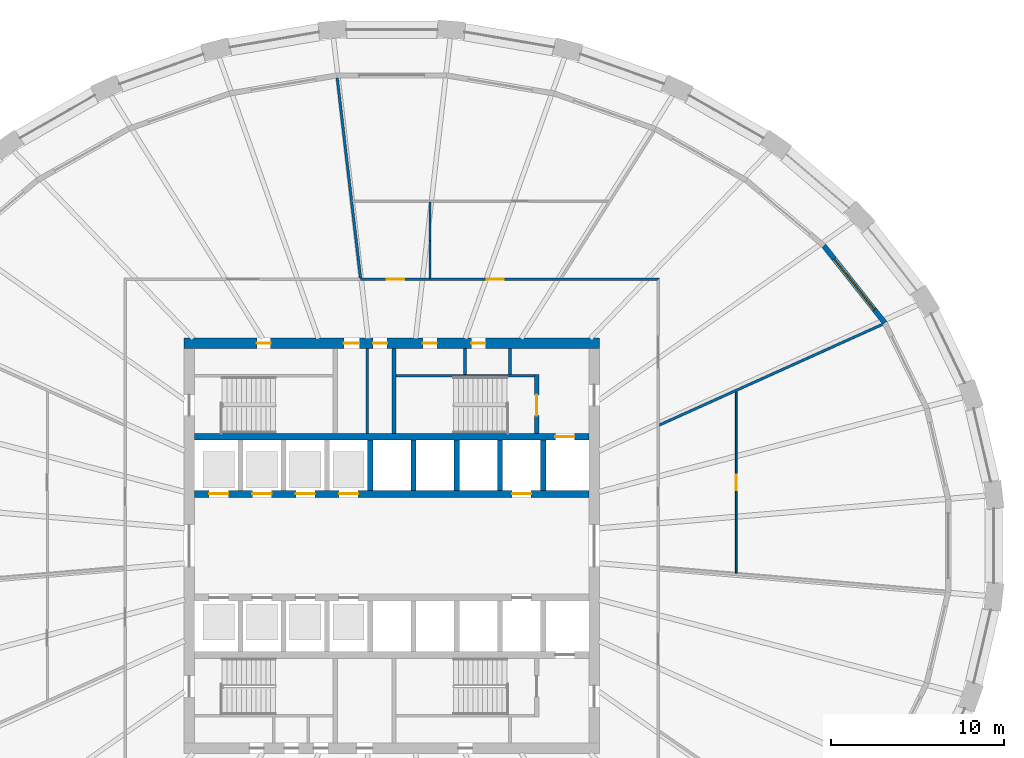
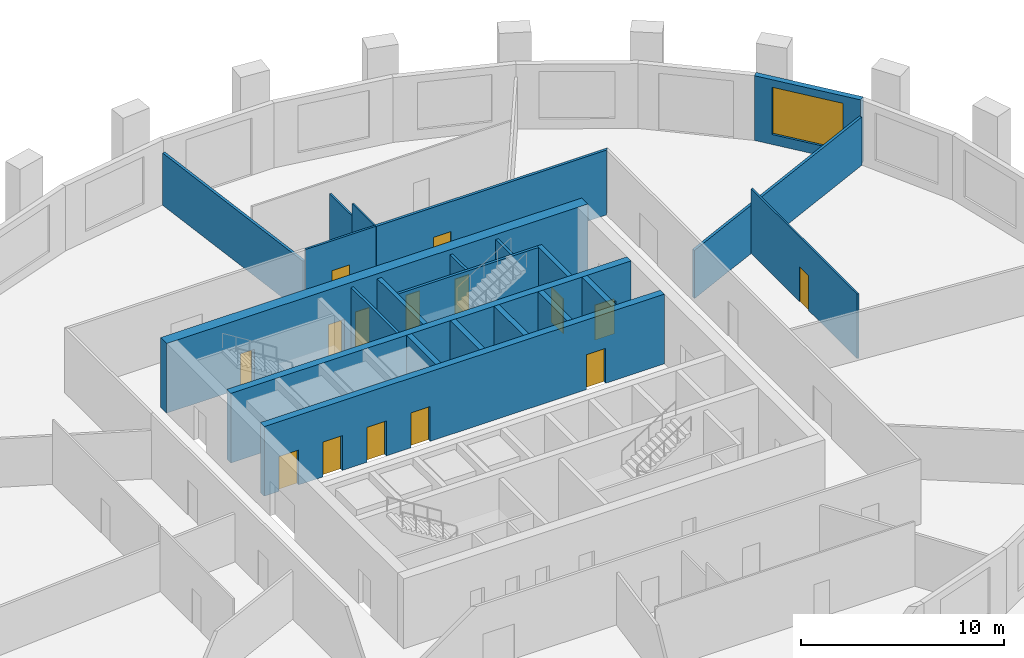
# One storey, part 6 of 10: 22 walls, 15 doors, 1 window, 16 openings.
"""IFC4 building model written with IfcOpenShell, lengths in metres."""

from ifc_helpers import new_model, si_unit, direction, frame, frame_2d, origin, place, context, subcontext, project, spatial, polyline, rectangle, outline, extrude, material, layer, layer_set, type_object, element, fill, save


model = new_model("IFC4")

# Units and contexts
model_context = context("Model", 3, precision=1e-05, world=origin(), true_north=direction((0.0, 1.0)))
body_context = subcontext(model_context, "Body", "Model", "MODEL_VIEW")
ifc_project = project(units=[si_unit("LENGTHUNIT", "METRE"), si_unit("AREAUNIT", "SQUARE_METRE"), si_unit("VOLUMEUNIT", "CUBIC_METRE"), si_unit("PLANEANGLEUNIT", "RADIAN"), si_unit("MASSUNIT", "GRAM", prefix="KILO")], contexts=[model_context])

# Site, building, storey
site_placement = place(None, origin())
site = spatial("IfcSite", under=ifc_project, at=site_placement, CompositionType="ELEMENT")
building_placement = place(site_placement, origin())
building = spatial("IfcBuilding", under=site, at=building_placement, Name="Halqa Exchange Tower", CompositionType="ELEMENT")
storey_placement = place(building_placement, frame((0.0, 0.0, 121.300048828125)))
storey = spatial("IfcBuildingStorey", under=building, at=storey_placement, Name="L27", CompositionType="ELEMENT", Elevation=121.300048828125)

# Wall
ifc_material_1 = material(Name="Fire-rated gypsum board")
ifc_layer_1 = layer(ifc_material_1, 0.14990234375)
ifc_layer_set_1 = layer_set([ifc_layer_1], Name="Fire-rated gypsum board")
wall_type_1 = type_object("IfcWallType", Name="Fire partition EI 60 150", PredefinedType="PARTITIONING", material=ifc_layer_set_1)
wall_1_placement = place(storey_placement, frame((-3.15478515625, 27.019287109375, 0.0), z_axis=(0.0, 0.0, 1.0), x_axis=(0.11582313458, -0.993269853311, 0.0)))
element("IfcWall", 1, at=wall_1_placement, inside=storey, type_object=wall_type_1, Name="L27-PWL-010", PredefinedType="PARTITIONING", context=body_context, shape_type="SweptSolid", body=[
    extrude(outline(polyline([(0.0, -0.074951171875), (1.935546875, -0.074951171875), (3.871337890625, -0.074951171875), (5.806884765625, -0.074951171875), (7.742431640625, -0.074951171875), (9.67822265625, -0.074951171875), (11.61376953125, -0.074951171875), (11.62353515625, 0.008544921875), (11.638427734375, 0.0068359375), (11.64599609375, 0.072021484375), (11.64599609375, 0.074951171875), (9.70556640625, 0.074951171875), (7.765380859375, 0.074951171875), (5.824951171875, 0.074951171875), (3.884521484375, 0.074951171875), (1.9443359375, 0.074951171875), (0.00390625, 0.074951171875), (0.0, 0.04150390625), (0.0, -0.074951171875)])), origin(), (0.0, 0.0, 1.0), 3.14697265625),
])

# Wall, opening, door
wall_2_placement = place(storey_placement, frame((2.2099609375, 15.39990234375, 0.0), z_axis=(0.0, 0.0, 1.0), x_axis=(1.0, 0.0, 0.0)))
wall_2 = element("IfcWall", 2, at=wall_2_placement, inside=storey, type_object=wall_type_1, Name="L27-PWL-017", PredefinedType="PARTITIONING", context=body_context, shape_type="SweptSolid", body=[
    extrude(outline(polyline([(0.0, -0.074951171875), (1.87353515625, -0.074951171875), (3.7470703125, -0.074951171875), (5.62060546875, -0.074951171875), (7.494384765625, -0.074951171875), (9.367919921875, -0.074951171875), (11.241455078125, -0.074951171875), (13.114990234375, -0.074951171875), (13.264892578125, 0.074951171875), (11.369873046875, 0.074951171875), (9.474853515625, 0.074951171875), (7.579833984375, 0.074951171875), (5.68505859375, 0.074951171875), (3.7900390625, 0.074951171875), (1.89501953125, 0.074951171875), (0.0, 0.074951171875), (0.0, -0.074951171875)])), origin(), (0.0, 0.0, 1.0), 3.89990234375),
])
opening_1_placement = place(wall_2_placement, frame((3.264892578125, 0.0, 0.0)))
opening_1 = element("IfcOpeningElement", 3, at=opening_1_placement, cuts=wall_2, Name="Opening 08-05", PredefinedType="OPENING", context=body_context, shape_type="SweptSolid", body=[
    extrude(rectangle(XDim=1.0, YDim=2.10009765625, at=frame_2d((0.5, 1.050048828125))), frame((0.0, 0.0869140625, 0.0), z_axis=(0.0, -1.0, 0.0), x_axis=(1.0, 0.0, 0.0)), (0.0, 0.0, 1.0), 0.173828125),
])
ifc_material_2 = material(Name="Steel fire door leaf", Category="steel")
door_type_1 = type_object("IfcDoorType", Name="Fire door FD30S 1000 x 2100", OperationType="SINGLE_SWING_LEFT", PredefinedType="DOOR", material=ifc_material_2)
door_1_placement = place(opening_1_placement, origin())
door_1 = element("IfcDoor", 4, at=door_1_placement, inside=storey, type_object=door_type_1, Name="L27-IDR-005", OperationType="SINGLE_SWING_RIGHT", OverallHeight=2.10009765625, OverallWidth=1.0, PredefinedType="DOOR", context=body_context, shape_type="SweptSolid", body=[
    extrude(rectangle(XDim=1.0, YDim=2.10009765625, at=frame_2d((0.5, 1.050048828125))), frame((0.0, 0.02490234375, 0.0), z_axis=(0.0, -1.0, 0.0), x_axis=(1.0, 0.0, 0.0)), (0.0, 0.0, 1.0), 0.050048828125),
])
fill(opening_1, door_1)

# Wall
wall_3_placement = place(storey_placement, frame((15.444091796875, 6.969970703125, 0.0), z_axis=(0.0, 0.0, 1.0), x_axis=(0.911543819319, 0.411202949237, 0.0)))
element("IfcWall", 5, at=wall_3_placement, inside=storey, type_object=wall_type_1, Name="L27-PWL-023", PredefinedType="PARTITIONING", context=body_context, shape_type="SweptSolid", body=[
    extrude(outline(polyline([(0.0, -0.074951171875), (1.599853515625, -0.074951171875), (3.19970703125, -0.074951171875), (4.799560546875, -0.074951171875), (4.800537109375, -0.072998046875), (4.804931640625, -0.074951171875), (6.67724609375, -0.074951171875), (8.54931640625, -0.074951171875), (10.42138671875, -0.074951171875), (12.29345703125, -0.074951171875), (14.16552734375, -0.074951171875), (14.16552734375, -0.062744140625), (14.163330078125, 0.00732421875), (14.146484375, 0.074951171875), (12.386474609375, 0.074951171875), (10.626708984375, 0.074951171875), (8.866943359375, 0.074951171875), (7.10693359375, 0.074951171875), (5.34716796875, 0.074951171875), (3.58740234375, 0.074951171875), (1.82763671875, 0.074951171875), (0.067626953125, 0.074951171875), (0.0, -0.074951171875)])), origin(), (0.0, 0.0, 1.0), 2.909912109375),
])

# Wall, opening, door
ifc_material_3 = material(Name="Fire-rated glazing", Category="glass")
ifc_layer_2 = layer(ifc_material_3, 0.1201171875)
ifc_layer_set_2 = layer_set([ifc_layer_2], Name="Fire-rated glazing")
wall_type_2 = type_object("IfcWallType", Name="Glazed fire partition EI 60 120", PredefinedType="PARTITIONING", material=ifc_layer_set_2)
wall_4_placement = place(storey_placement, frame((-1.800048828125, 15.39990234375, 0.0), z_axis=(0.0, 0.0, 1.0), x_axis=(1.0, 0.0, 0.0)))
wall_4 = element("IfcWall", 6, at=wall_4_placement, inside=storey, type_object=wall_type_2, Name="L27-PWL-014", PredefinedType="PARTITIONING", context=body_context, shape_type="SweptSolid", body=[
    extrude(rectangle(XDim=4.010009765625, YDim=0.1201171875, at=frame_2d((2.0048828125, 0.0))), origin(), (0.0, 0.0, 1.0), 3.89990234375),
])
opening_2_placement = place(wall_4_placement, frame((1.5048828125, 0.0, 0.0)))
opening_2 = element("IfcOpeningElement", 7, at=opening_2_placement, cuts=wall_4, Name="Opening 08-06", PredefinedType="OPENING", context=body_context, shape_type="SweptSolid", body=[
    extrude(rectangle(XDim=1.0, YDim=2.10009765625, at=frame_2d((0.5, 1.050048828125))), frame((0.0, 0.072021484375, 0.0), z_axis=(0.0, -1.0, 0.0), x_axis=(1.0, 0.0, 0.0)), (0.0, 0.0, 1.0), 0.14404296875),
])
door_2_placement = place(opening_2_placement, origin())
door_2 = element("IfcDoor", 8, at=door_2_placement, inside=storey, type_object=door_type_1, Name="L27-IDR-006", OperationType="SINGLE_SWING_RIGHT", OverallHeight=2.10009765625, OverallWidth=1.0, PredefinedType="DOOR", context=body_context, shape_type="SweptSolid", body=[
    extrude(rectangle(XDim=1.0, YDim=2.10009765625, at=frame_2d((0.5, 1.050048828125))), frame((0.0, 0.02490234375, 0.0), z_axis=(0.0, -1.0, 0.0), x_axis=(1.0, 0.0, 0.0)), (0.0, 0.0, 1.0), 0.050048828125),
])
fill(opening_2, door_2)

# Wall
ifc_material_4 = material(Name="Gypsum board")
ifc_layer_3 = layer(ifc_material_4, 0.10009765625)
ifc_layer_set_3 = layer_set([ifc_layer_3], Name="Gypsum board")
wall_type_3 = type_object("IfcWallType", Name="Partition 100 gypsum", PredefinedType="PARTITIONING", material=ifc_layer_set_3)
wall_5_placement = place(storey_placement, frame((2.2099609375, 15.46044921875, 0.0), z_axis=(0.0, 0.0, 1.0), x_axis=(0.0, 1.0, 0.0)))
element("IfcWall", 9, at=wall_5_placement, inside=storey, type_object=wall_type_3, Name="L27-PWL-016", PredefinedType="PARTITIONING", context=body_context, shape_type="SweptSolid", body=[
    extrude(outline(polyline([(0.0, 0.050048828125), (0.0, 0.0), (0.0146484375, 0.0), (0.0146484375, -0.050048828125), (2.157470703125, -0.050048828125), (2.157470703125, 0.050048828125), (0.0, 0.050048828125)])), origin(), (0.0, 0.0, 1.0), 3.89990234375),
])

# Wall, opening, door
wall_6_placement = place(storey_placement, frame((19.89990234375, 8.919921875, 0.0), z_axis=(0.0, 0.0, 1.0), x_axis=(0.0, -1.0, 0.0)))
wall_6 = element("IfcWall", 10, at=wall_6_placement, inside=storey, type_object=wall_type_3, Name="L27-PWL-024", PredefinedType="PARTITIONING", context=body_context, shape_type="SweptSolid", body=[
    extrude(outline(polyline([(0.044921875, -0.050048828125), (1.78662109375, -0.050048828125), (3.528564453125, -0.050048828125), (5.2705078125, -0.050048828125), (7.012451171875, -0.050048828125), (8.75439453125, -0.050048828125), (10.49609375, -0.050048828125), (10.50439453125, 0.048095703125), (10.50439453125, 0.050048828125), (8.753662109375, 0.050048828125), (7.0029296875, 0.050048828125), (5.252197265625, 0.050048828125), (3.50146484375, 0.050048828125), (1.750732421875, 0.050048828125), (0.0, 0.050048828125), (0.0, 0.04931640625), (0.044921875, -0.050048828125)])), origin(), (0.0, 0.0, 1.0), 3.89990234375),
])
opening_3_placement = place(wall_6_placement, frame((4.81005859375, 0.0, 0.0)))
opening_3 = element("IfcOpeningElement", 11, at=opening_3_placement, cuts=wall_6, Name="Opening 08-13", PredefinedType="OPENING", context=body_context, shape_type="SweptSolid", body=[
    extrude(rectangle(XDim=0.89990234375, YDim=2.10009765625, at=frame_2d((0.449951171875, 1.050048828125))), frame((0.0, 0.06201171875, 0.0), z_axis=(0.0, -1.0, 0.0), x_axis=(1.0, 0.0, 0.0)), (0.0, 0.0, 1.0), 0.1240234375),
])
ifc_material_5 = material(Name="Timber door leaf", Category="wood")
door_type_2 = type_object("IfcDoorType", Name="Door 900 x 2100", OperationType="SINGLE_SWING_LEFT", PredefinedType="DOOR", material=ifc_material_5)
door_3_placement = place(opening_3_placement, frame((0.89990234375, 0.0, 0.0), z_axis=(0.0, 0.0, 1.0), x_axis=(-1.0, 0.0, 0.0)))
door_3 = element("IfcDoor", 12, at=door_3_placement, inside=storey, type_object=door_type_2, Name="L27-IDR-013", OperationType="SINGLE_SWING_LEFT", OverallHeight=2.10009765625, OverallWidth=0.89990234375, PredefinedType="DOOR", context=body_context, shape_type="SweptSolid", body=[
    extrude(rectangle(XDim=0.89990234375, YDim=2.10009765625, at=frame_2d((0.449951171875, 1.050048828125))), frame((0.0, 0.02490234375, 0.0), z_axis=(0.0, -1.0, 0.0), x_axis=(1.0, 0.0, 0.0)), (0.0, 0.0, 1.0), 0.050048828125),
])
fill(opening_3, door_3)

# Walls
wall_7_placement = place(storey_placement, frame((2.2099609375, 17.617919921875, 0.0), z_axis=(0.0, 0.0, 1.0), x_axis=(0.0, 1.0, 0.0)))
element("IfcWall", 13, at=wall_7_placement, inside=storey, type_object=wall_type_3, Name="L27-PWL-026", PredefinedType="PARTITIONING", context=body_context, shape_type="SweptSolid", body=[
    extrude(outline(polyline([(0.0, -0.050048828125), (2.232177734375, -0.050048828125), (2.232177734375, 0.050048828125), (0.0, 0.050048828125), (0.0, -0.050048828125)])), origin(), (0.0, 0.0, 1.0), 3.14697265625),
])
ifc_layer_4 = layer(ifc_material_4, 0.14990234375)
ifc_layer_set_4 = layer_set([ifc_layer_4], Name="Gypsum board")
wall_type_4 = type_object("IfcWallType", Name="Penthouse riser wall 150 gypsum", PredefinedType="PARTITIONING", material=ifc_layer_set_4)
wall_8_placement = place(storey_placement, frame((-1.425048828125, 6.5, 0.0), z_axis=(0.0, 0.0, 1.0), x_axis=(0.0, 1.0, 0.0)))
element("IfcWall", 14, at=wall_8_placement, inside=storey, type_object=wall_type_4, Name="Partition W1.425 N", PredefinedType="PARTITIONING", context=body_context, shape_type="SweptSolid", body=[
    extrude(rectangle(XDim=4.89990234375, YDim=0.14990234375, at=frame_2d((2.449951171875, 0.0))), origin(), (0.0, 0.0, 1.0), 3.89990234375),
])
for number, where, z_axis, x_axis, name in (
    (15, (4.22509765625, 9.89990234375, 0.0), (0.0, 0.0, 1.0), (0.0, 1.0, 0.0), "Partition E4.225 N"),
    (16, (6.824951171875, 9.89990234375, 0.0), (0.0, 0.0, 1.0), (0.0, 1.0, 0.0), "Firefighting lobby west wall N"),
):
    element("IfcWall", number, at=place(storey_placement, frame(where, z_axis=z_axis, x_axis=x_axis)), inside=storey, type_object=wall_type_4, Name=name, PredefinedType="PARTITIONING", context=body_context, shape_type="SweptSolid", body=[
        extrude(rectangle(XDim=1.5, YDim=0.14990234375, at=frame_2d((0.75, 0.0))), origin(), (0.0, 0.0, 1.0), 3.89990234375),
    ])
ifc_material_6 = material(Name="Concrete C60/75", Category="concrete")
ifc_layer_5 = layer(ifc_material_6, 0.300048828125)
ifc_layer_set_5 = layer_set([ifc_layer_5], Name="Concrete C60/75")
wall_type_5 = type_object("IfcWallType", Name="RC core wall 300", PredefinedType="SHEAR", material=ifc_layer_set_5)
for number, where, z_axis, x_axis, name in (
    (17, (-1.25, 3.199951171875, 0.0), (0.0, 0.0, 1.0), (0.0, 1.0, 0.0), "Shaft divider N4"),
    (18, (1.25, 3.199951171875, 0.0), (0.0, 0.0, 1.0), (0.0, 1.0, 0.0), "Shaft divider N5"),
    (19, (3.75, 3.199951171875, 0.0), (0.0, 0.0, 1.0), (0.0, 1.0, 0.0), "Shaft divider N6"),
    (20, (6.25, 3.199951171875, 0.0), (0.0, 0.0, 1.0), (0.0, 1.0, 0.0), "Shaft divider N7"),
    (21, (8.75, 3.199951171875, 0.0), (0.0, 0.0, 1.0), (0.0, 1.0, 0.0), "Shaft divider N8"),
):
    element("IfcWall", number, at=place(storey_placement, frame(where, z_axis=z_axis, x_axis=x_axis)), inside=storey, type_object=wall_type_5, Name=name, PredefinedType="SHEAR", context=body_context, shape_type="SweptSolid", body=[
        extrude(rectangle(XDim=2.900146484375, YDim=0.300048828125, at=frame_2d((1.4501953125, 0.0))), origin(), (0.0, 0.0, 1.0), 4.199951171875),
    ])

# Wall, openings, doors
ifc_material_7 = material(Name="Concrete C70/85", Category="concrete")
ifc_layer_6 = layer(ifc_material_7, 0.39990234375)
ifc_layer_set_6 = layer_set([ifc_layer_6], Name="Concrete C70/85")
wall_type_6 = type_object("IfcWallType", Name="RC core wall 400 C70/85", PredefinedType="SHEAR", material=ifc_layer_set_6)
wall_9_placement = place(storey_placement, frame((-11.39990234375, 3.0, 0.0), z_axis=(0.0, 0.0, 1.0), x_axis=(1.0, 0.0, 0.0)))
wall_9 = element("IfcWall", 22, at=wall_9_placement, inside=storey, type_object=wall_type_6, Name="Lift row front wall N", PredefinedType="SHEAR", context=body_context, shape_type="SweptSolid", body=[
    extrude(rectangle(XDim=22.7998046875, YDim=0.39990234375, at=frame_2d((11.39990234375, 0.0))), origin(), (0.0, 0.0, 1.0), 4.199951171875),
])
opening_4_placement = place(wall_9_placement, frame((0.85009765625, 0.0, 0.0)))
opening_4 = element("IfcOpeningElement", 23, at=opening_4_placement, cuts=wall_9, Name="Opening LD-LR1-T08", PredefinedType="OPENING", context=body_context, shape_type="SweptSolid", body=[
    extrude(rectangle(XDim=1.10009765625, YDim=2.10009765625, at=frame_2d((0.550048828125, 1.050048828125))), frame((0.0, 0.2119140625, 0.0), z_axis=(0.0, -1.0, 0.0), x_axis=(1.0, 0.0, 0.0)), (0.0, 0.0, 1.0), 0.423828125),
])
opening_5_placement = place(wall_9_placement, frame((3.35009765625, 0.0, 0.0)))
opening_5 = element("IfcOpeningElement", 24, at=opening_5_placement, cuts=wall_9, Name="Opening LD-LR2-T08", PredefinedType="OPENING", context=body_context, shape_type="SweptSolid", body=[
    extrude(rectangle(XDim=1.10009765625, YDim=2.10009765625, at=frame_2d((0.550048828125, 1.050048828125))), frame((0.0, 0.2119140625, 0.0), z_axis=(0.0, -1.0, 0.0), x_axis=(1.0, 0.0, 0.0)), (0.0, 0.0, 1.0), 0.423828125),
])
opening_6_placement = place(wall_9_placement, frame((5.85009765625, 0.0, 0.0)))
opening_6 = element("IfcOpeningElement", 25, at=opening_6_placement, cuts=wall_9, Name="Opening LD-LR3-T08", PredefinedType="OPENING", context=body_context, shape_type="SweptSolid", body=[
    extrude(rectangle(XDim=1.10009765625, YDim=2.10009765625, at=frame_2d((0.550048828125, 1.050048828125))), frame((0.0, 0.2119140625, 0.0), z_axis=(0.0, -1.0, 0.0), x_axis=(1.0, 0.0, 0.0)), (0.0, 0.0, 1.0), 0.423828125),
])
opening_7_placement = place(wall_9_placement, frame((8.35009765625, 0.0, 0.0)))
opening_7 = element("IfcOpeningElement", 26, at=opening_7_placement, cuts=wall_9, Name="Opening LD-LR4-T08", PredefinedType="OPENING", context=body_context, shape_type="SweptSolid", body=[
    extrude(rectangle(XDim=1.10009765625, YDim=2.10009765625, at=frame_2d((0.550048828125, 1.050048828125))), frame((0.0, 0.2119140625, 0.0), z_axis=(0.0, -1.0, 0.0), x_axis=(1.0, 0.0, 0.0)), (0.0, 0.0, 1.0), 0.423828125),
])
opening_8_placement = place(wall_9_placement, frame((18.35009765625, 0.0, 0.0)))
opening_8 = element("IfcOpeningElement", 27, at=opening_8_placement, cuts=wall_9, Name="Opening LD-SV1-T08", PredefinedType="OPENING", context=body_context, shape_type="SweptSolid", body=[
    extrude(rectangle(XDim=1.10009765625, YDim=2.10009765625, at=frame_2d((0.550048828125, 1.050048828125))), frame((0.0, 0.2119140625, 0.0), z_axis=(0.0, -1.0, 0.0), x_axis=(1.0, 0.0, 0.0)), (0.0, 0.0, 1.0), 0.423828125),
])
ifc_material_8 = material(Name="Stainless steel", Category="steel")
door_type_3 = type_object("IfcDoorType", Name="Lift landing door 1100 x 2100", OperationType="SLIDING_TO_LEFT", PredefinedType="DOOR", material=ifc_material_8)
door_4_placement = place(opening_4_placement, origin())
door_4 = element("IfcDoor", 28, at=door_4_placement, inside=storey, type_object=door_type_3, Name="Lift landing door LR1", OperationType="SLIDING_TO_LEFT", OverallHeight=2.10009765625, OverallWidth=1.10009765625, PredefinedType="DOOR", context=body_context, shape_type="SweptSolid", body=[
    extrude(rectangle(XDim=1.10009765625, YDim=2.10009765625, at=frame_2d((0.550048828125, 1.050048828125))), frame((0.0, 0.02490234375, 0.0), z_axis=(0.0, -1.0, 0.0), x_axis=(1.0, 0.0, 0.0)), (0.0, 0.0, 1.0), 0.050048828125),
])
fill(opening_4, door_4)
door_5_placement = place(opening_5_placement, origin())
door_5 = element("IfcDoor", 29, at=door_5_placement, inside=storey, type_object=door_type_3, Name="Lift landing door LR2", OperationType="SLIDING_TO_LEFT", OverallHeight=2.10009765625, OverallWidth=1.10009765625, PredefinedType="DOOR", context=body_context, shape_type="SweptSolid", body=[
    extrude(rectangle(XDim=1.10009765625, YDim=2.10009765625, at=frame_2d((0.550048828125, 1.050048828125))), frame((0.0, 0.02490234375, 0.0), z_axis=(0.0, -1.0, 0.0), x_axis=(1.0, 0.0, 0.0)), (0.0, 0.0, 1.0), 0.050048828125),
])
fill(opening_5, door_5)
door_6_placement = place(opening_6_placement, origin())
door_6 = element("IfcDoor", 30, at=door_6_placement, inside=storey, type_object=door_type_3, Name="Lift landing door LR3", OperationType="SLIDING_TO_LEFT", OverallHeight=2.10009765625, OverallWidth=1.10009765625, PredefinedType="DOOR", context=body_context, shape_type="SweptSolid", body=[
    extrude(rectangle(XDim=1.10009765625, YDim=2.10009765625, at=frame_2d((0.550048828125, 1.050048828125))), frame((0.0, 0.02490234375, 0.0), z_axis=(0.0, -1.0, 0.0), x_axis=(1.0, 0.0, 0.0)), (0.0, 0.0, 1.0), 0.050048828125),
])
fill(opening_6, door_6)
door_7_placement = place(opening_7_placement, origin())
door_7 = element("IfcDoor", 31, at=door_7_placement, inside=storey, type_object=door_type_3, Name="Lift landing door LR4", OperationType="SLIDING_TO_LEFT", OverallHeight=2.10009765625, OverallWidth=1.10009765625, PredefinedType="DOOR", context=body_context, shape_type="SweptSolid", body=[
    extrude(rectangle(XDim=1.10009765625, YDim=2.10009765625, at=frame_2d((0.550048828125, 1.050048828125))), frame((0.0, 0.02490234375, 0.0), z_axis=(0.0, -1.0, 0.0), x_axis=(1.0, 0.0, 0.0)), (0.0, 0.0, 1.0), 0.050048828125),
])
fill(opening_7, door_7)
door_8_placement = place(opening_8_placement, origin())
door_8 = element("IfcDoor", 32, at=door_8_placement, inside=storey, type_object=door_type_3, Name="Lift landing door SV1", OperationType="SLIDING_TO_LEFT", OverallHeight=2.10009765625, OverallWidth=1.10009765625, PredefinedType="DOOR", context=body_context, shape_type="SweptSolid", body=[
    extrude(rectangle(XDim=1.10009765625, YDim=2.10009765625, at=frame_2d((0.550048828125, 1.050048828125))), frame((0.0, 0.02490234375, 0.0), z_axis=(0.0, -1.0, 0.0), x_axis=(1.0, 0.0, 0.0)), (0.0, 0.0, 1.0), 0.050048828125),
])
fill(opening_8, door_8)

# Wall, opening, door
wall_10_placement = place(storey_placement, frame((-11.39990234375, 6.300048828125, 0.0), z_axis=(0.0, 0.0, 1.0), x_axis=(1.0, 0.0, 0.0)))
wall_10 = element("IfcWall", 33, at=wall_10_placement, inside=storey, type_object=wall_type_6, Name="Lift row back wall N", PredefinedType="SHEAR", context=body_context, shape_type="SweptSolid", body=[
    extrude(rectangle(XDim=22.7998046875, YDim=0.39990234375, at=frame_2d((11.39990234375, 0.0))), origin(), (0.0, 0.0, 1.0), 4.199951171875),
])
opening_9_placement = place(wall_10_placement, frame((20.85009765625, 0.0, 0.0)))
opening_9 = element("IfcOpeningElement", 34, at=opening_9_placement, cuts=wall_10, Name="Opening LD-FF1-T08", PredefinedType="OPENING", context=body_context, shape_type="SweptSolid", body=[
    extrude(rectangle(XDim=1.10009765625, YDim=2.10009765625, at=frame_2d((0.550048828125, 1.050048828125))), frame((0.0, 0.2119140625, 0.0), z_axis=(0.0, -1.0, 0.0), x_axis=(1.0, 0.0, 0.0)), (0.0, 0.0, 1.0), 0.423828125),
])
door_9_placement = place(opening_9_placement, origin())
door_9 = element("IfcDoor", 35, at=door_9_placement, inside=storey, type_object=door_type_3, Name="Lift landing door FF1", OperationType="SLIDING_TO_LEFT", OverallHeight=2.10009765625, OverallWidth=1.10009765625, PredefinedType="DOOR", context=body_context, shape_type="SweptSolid", body=[
    extrude(rectangle(XDim=1.10009765625, YDim=2.10009765625, at=frame_2d((0.550048828125, 1.050048828125))), frame((0.0, 0.02490234375, 0.0), z_axis=(0.0, -1.0, 0.0), x_axis=(1.0, 0.0, 0.0)), (0.0, 0.0, 1.0), 0.050048828125),
])
fill(opening_9, door_9)

# Wall, openings, doors
ifc_layer_7 = layer(ifc_material_7, 0.60009765625)
ifc_layer_set_7 = layer_set([ifc_layer_7], Name="Concrete C70/85")
wall_type_7 = type_object("IfcWallType", Name="RC core wall 600 C70/85", PredefinedType="SHEAR", material=ifc_layer_set_7)
wall_11_placement = place(storey_placement, frame((-12.0, 11.699951171875, 0.0), z_axis=(0.0, 0.0, 1.0), x_axis=(1.0, 0.0, 0.0)))
wall_11 = element("IfcWall", 36, at=wall_11_placement, inside=storey, type_object=wall_type_7, Name="Core wall north", PredefinedType="SHEAR", context=body_context, shape_type="SweptSolid", body=[
    extrude(rectangle(XDim=24.0, YDim=0.60009765625, at=frame_2d((12.0, 0.0))), origin(), (0.0, 0.0, 1.0), 4.199951171875),
])
opening_10_placement = place(wall_11_placement, frame((9.22509765625, 0.0, 0.0)))
opening_10 = element("IfcOpeningElement", 37, at=opening_10_placement, cuts=wall_11, Name="Opening T08-C21", PredefinedType="OPENING", context=body_context, shape_type="SweptSolid", body=[
    extrude(rectangle(XDim=0.89990234375, YDim=2.10009765625, at=frame_2d((0.449951171875, 1.050048828125))), frame((0.0, 0.31201171875, 0.0), z_axis=(0.0, -1.0, 0.0), x_axis=(1.0, 0.0, 0.0)), (0.0, 0.0, 1.0), 0.6240234375),
])
opening_11_placement = place(wall_11_placement, frame((10.925048828125, 0.0, 0.0)))
opening_11 = element("IfcOpeningElement", 38, at=opening_11_placement, cuts=wall_11, Name="Opening T08-C22", PredefinedType="OPENING", context=body_context, shape_type="SweptSolid", body=[
    extrude(rectangle(XDim=0.800048828125, YDim=2.10009765625, at=frame_2d((0.39990234375, 1.050048828125))), frame((0.0, 0.31201171875, 0.0), z_axis=(0.0, -1.0, 0.0), x_axis=(1.0, 0.0, 0.0)), (0.0, 0.0, 1.0), 0.6240234375),
])
opening_12_placement = place(wall_11_placement, frame((4.199951171875, 0.0, 0.0)))
opening_12 = element("IfcOpeningElement", 39, at=opening_12_placement, cuts=wall_11, Name="Opening T08-C23", PredefinedType="OPENING", context=body_context, shape_type="SweptSolid", body=[
    extrude(rectangle(XDim=0.800048828125, YDim=2.10009765625, at=frame_2d((0.39990234375, 1.050048828125))), frame((0.0, 0.31201171875, 0.0), z_axis=(0.0, -1.0, 0.0), x_axis=(1.0, 0.0, 0.0)), (0.0, 0.0, 1.0), 0.6240234375),
])
opening_13_placement = place(wall_11_placement, frame((13.800048828125, 0.0, 0.0)))
opening_13 = element("IfcOpeningElement", 40, at=opening_13_placement, cuts=wall_11, Name="Opening T08-C24", PredefinedType="OPENING", context=body_context, shape_type="SweptSolid", body=[
    extrude(rectangle(XDim=0.800048828125, YDim=2.10009765625, at=frame_2d((0.39990234375, 1.050048828125))), frame((0.0, 0.31201171875, 0.0), z_axis=(0.0, -1.0, 0.0), x_axis=(1.0, 0.0, 0.0)), (0.0, 0.0, 1.0), 0.6240234375),
])
opening_14_placement = place(wall_11_placement, frame((16.60009765625, 0.0, 0.0)))
opening_14 = element("IfcOpeningElement", 41, at=opening_14_placement, cuts=wall_11, Name="Opening T08-C25", PredefinedType="OPENING", context=body_context, shape_type="SweptSolid", body=[
    extrude(rectangle(XDim=0.800048828125, YDim=2.10009765625, at=frame_2d((0.39990234375, 1.050048828125))), frame((0.0, 0.31201171875, 0.0), z_axis=(0.0, -1.0, 0.0), x_axis=(1.0, 0.0, 0.0)), (0.0, 0.0, 1.0), 0.6240234375),
])
ifc_material_9 = material(Name="Timber fire door leaf", Category="wood")
door_type_4 = type_object("IfcDoorType", Name="Core room door FD30 900 x 2100", OperationType="SINGLE_SWING_LEFT", PredefinedType="DOOR", material=ifc_material_9)
door_10_placement = place(opening_10_placement, frame((0.89990234375, 0.0, 0.0), z_axis=(0.0, 0.0, 1.0), x_axis=(-1.0, 0.0, 0.0)))
door_10 = element("IfcDoor", 42, at=door_10_placement, inside=storey, type_object=door_type_4, Name="Core room door", OperationType="SINGLE_SWING_RIGHT", OverallHeight=2.10009765625, OverallWidth=0.89990234375, PredefinedType="DOOR", context=body_context, shape_type="SweptSolid", body=[
    extrude(rectangle(XDim=0.89990234375, YDim=2.10009765625, at=frame_2d((0.449951171875, 1.050048828125))), frame((0.0, 0.02490234375, 0.0), z_axis=(0.0, -1.0, 0.0), x_axis=(1.0, 0.0, 0.0)), (0.0, 0.0, 1.0), 0.050048828125),
])
fill(opening_10, door_10)
door_type_5 = type_object("IfcDoorType", Name="Riser door FD60 800 x 2100", OperationType="SINGLE_SWING_LEFT", PredefinedType="DOOR", material=ifc_material_2)
door_11_placement = place(opening_11_placement, frame((0.800048828125, 0.0, 0.0), z_axis=(0.0, 0.0, 1.0), x_axis=(-1.0, 0.0, 0.0)))
door_11 = element("IfcDoor", 43, at=door_11_placement, inside=storey, type_object=door_type_5, Name="Core room door", OperationType="SINGLE_SWING_RIGHT", OverallHeight=2.10009765625, OverallWidth=0.800048828125, PredefinedType="DOOR", context=body_context, shape_type="SweptSolid", body=[
    extrude(rectangle(XDim=0.800048828125, YDim=2.10009765625, at=frame_2d((0.39990234375, 1.050048828125))), frame((0.0, 0.02490234375, 0.0), z_axis=(0.0, -1.0, 0.0), x_axis=(1.0, 0.0, 0.0)), (0.0, 0.0, 1.0), 0.050048828125),
])
fill(opening_11, door_11)
door_12_placement = place(opening_12_placement, frame((0.800048828125, 0.0, 0.0), z_axis=(0.0, 0.0, 1.0), x_axis=(-1.0, 0.0, 0.0)))
door_12 = element("IfcDoor", 44, at=door_12_placement, inside=storey, type_object=door_type_5, Name="Core room door", OperationType="SINGLE_SWING_RIGHT", OverallHeight=2.10009765625, OverallWidth=0.800048828125, PredefinedType="DOOR", context=body_context, shape_type="SweptSolid", body=[
    extrude(rectangle(XDim=0.800048828125, YDim=2.10009765625, at=frame_2d((0.39990234375, 1.050048828125))), frame((0.0, 0.02490234375, 0.0), z_axis=(0.0, -1.0, 0.0), x_axis=(1.0, 0.0, 0.0)), (0.0, 0.0, 1.0), 0.050048828125),
])
fill(opening_12, door_12)
door_13_placement = place(opening_13_placement, frame((0.800048828125, 0.0, 0.0), z_axis=(0.0, 0.0, 1.0), x_axis=(-1.0, 0.0, 0.0)))
door_13 = element("IfcDoor", 45, at=door_13_placement, inside=storey, type_object=door_type_5, Name="Core room door", OperationType="SINGLE_SWING_LEFT", OverallHeight=2.10009765625, OverallWidth=0.800048828125, PredefinedType="DOOR", context=body_context, shape_type="SweptSolid", body=[
    extrude(rectangle(XDim=0.800048828125, YDim=2.10009765625, at=frame_2d((0.39990234375, 1.050048828125))), frame((0.0, 0.02490234375, 0.0), z_axis=(0.0, -1.0, 0.0), x_axis=(1.0, 0.0, 0.0)), (0.0, 0.0, 1.0), 0.050048828125),
])
fill(opening_13, door_13)
door_14_placement = place(opening_14_placement, frame((0.800048828125, 0.0, 0.0), z_axis=(0.0, 0.0, 1.0), x_axis=(-1.0, 0.0, 0.0)))
door_14 = element("IfcDoor", 46, at=door_14_placement, inside=storey, type_object=door_type_5, Name="Core room door", OperationType="SINGLE_SWING_LEFT", OverallHeight=2.10009765625, OverallWidth=0.800048828125, PredefinedType="DOOR", context=body_context, shape_type="SweptSolid", body=[
    extrude(rectangle(XDim=0.800048828125, YDim=2.10009765625, at=frame_2d((0.39990234375, 1.050048828125))), frame((0.0, 0.02490234375, 0.0), z_axis=(0.0, -1.0, 0.0), x_axis=(1.0, 0.0, 0.0)), (0.0, 0.0, 1.0), 0.050048828125),
])
fill(opening_14, door_14)

# Walls
ifc_material_10 = material(Name="Concrete C30/37", Category="concrete")
ifc_layer_8 = layer(ifc_material_10, 0.14990234375)
ifc_layer_set_8 = layer_set([ifc_layer_8], Name="Concrete C30/37")
wall_type_8 = type_object("IfcWallType", Name="RC stair wall 150 C30/37", PredefinedType="SHEAR", material=ifc_layer_set_8)
wall_12_placement = place(storey_placement, frame((0.25, 9.824951171875, 0.0), z_axis=(0.0, 0.0, 1.0), x_axis=(1.0, 0.0, 0.0)))
element("IfcWall", 47, at=wall_12_placement, inside=storey, type_object=wall_type_8, Name="Stair ST2 north wall N", PredefinedType="SHEAR", context=body_context, shape_type="SweptSolid", body=[
    extrude(rectangle(XDim=8.0, YDim=0.14990234375, at=frame_2d((4.0, 0.0))), origin(), (0.0, 0.0, 1.0), 3.89990234375),
])
ifc_layer_9 = layer(ifc_material_10, 0.25)
ifc_layer_set_9 = layer_set([ifc_layer_9], Name="Concrete C30/37")
wall_type_9 = type_object("IfcWallType", Name="RC stair wall 250 C30/37", PredefinedType="SHEAR", material=ifc_layer_set_9)
wall_13_placement = place(storey_placement, frame((0.125, 6.5, 0.0), z_axis=(0.0, 0.0, 1.0), x_axis=(0.0, 1.0, 0.0)))
element("IfcWall", 48, at=wall_13_placement, inside=storey, type_object=wall_type_9, Name="Stair ST2 west wall N", PredefinedType="SHEAR", context=body_context, shape_type="SweptSolid", body=[
    extrude(rectangle(XDim=4.89990234375, YDim=0.25, at=frame_2d((2.449951171875, 0.0))), origin(), (0.0, 0.0, 1.0), 3.89990234375),
])

# Wall, opening, door
wall_14_placement = place(storey_placement, frame((8.375, 6.5, 0.0), z_axis=(0.0, 0.0, 1.0), x_axis=(0.0, 1.0, 0.0)))
wall_14 = element("IfcWall", 49, at=wall_14_placement, inside=storey, type_object=wall_type_9, Name="Stair ST2 east wall N", PredefinedType="SHEAR", context=body_context, shape_type="SweptSolid", body=[
    extrude(rectangle(XDim=3.39990234375, YDim=0.25, at=frame_2d((1.699951171875, 0.0))), origin(), (0.0, 0.0, 1.0), 3.89990234375),
])
opening_15_placement = place(wall_14_placement, frame((1.02490234375, 0.0, 0.0)))
opening_15 = element("IfcOpeningElement", 50, at=opening_15_placement, cuts=wall_14, Name="Opening T08-C16", PredefinedType="OPENING", context=body_context, shape_type="SweptSolid", body=[
    extrude(rectangle(XDim=1.199951171875, YDim=2.10009765625, at=frame_2d((0.60009765625, 1.050048828125))), frame((0.0, 0.136962890625, 0.0), z_axis=(0.0, -1.0, 0.0), x_axis=(1.0, 0.0, 0.0)), (0.0, 0.0, 1.0), 0.27392578125),
])
door_type_6 = type_object("IfcDoorType", Name="Stair door FD90 1200 x 2100", OperationType="SINGLE_SWING_LEFT", PredefinedType="DOOR", material=ifc_material_2)
door_15_placement = place(opening_15_placement, origin())
door_15 = element("IfcDoor", 51, at=door_15_placement, inside=storey, type_object=door_type_6, Name="Stair door ST2", OperationType="SINGLE_SWING_LEFT", OverallHeight=2.10009765625, OverallWidth=1.199951171875, PredefinedType="DOOR", context=body_context, shape_type="SweptSolid", body=[
    extrude(rectangle(XDim=1.199951171875, YDim=2.10009765625, at=frame_2d((0.60009765625, 1.050048828125))), frame((0.0, 0.02490234375, 0.0), z_axis=(0.0, -1.0, 0.0), x_axis=(1.0, 0.0, 0.0)), (0.0, 0.0, 1.0), 0.050048828125),
])
fill(opening_15, door_15)

# Wall, opening, window
ifc_material_11 = material(Name="Limestone cladding", Category="masonry")
ifc_layer_10 = layer(ifc_material_11, 0.0400390625)
ifc_material_12 = material(Name="Ventilated cavity")
ifc_layer_11 = layer(ifc_material_12, 0.030029296875, ventilated=True)
ifc_material_13 = material(Name="Mineral wool insulation")
ifc_layer_12 = layer(ifc_material_13, 0.10009765625)
ifc_layer_13 = layer(ifc_material_10, 0.10009765625)
ifc_material_14 = material(Name="Internal plaster")
ifc_layer_14 = layer(ifc_material_14, 0.030029296875)
ifc_layer_set_10 = layer_set([ifc_layer_10, ifc_layer_11, ifc_layer_12, ifc_layer_13, ifc_layer_14], Name="Stone-faced insulated wall 300")
wall_type_10 = type_object("IfcWallType", Name="Stone-faced insulated wall 300", PredefinedType="STANDARD", material=ifc_layer_set_10)
wall_15_placement = place(storey_placement, frame((28.47900390625, 12.881103515625, 0.0), z_axis=(0.0, 0.0, 1.0), x_axis=(-0.62038332391, 0.784298751379, 0.0)))
wall_15 = element("IfcWall", 52, at=wall_15_placement, inside=storey, type_object=wall_type_10, Name="Glass-line wall 3", PredefinedType="STANDARD", context=body_context, shape_type="SweptSolid", body=[
    extrude(outline(polyline([(-0.01611328125, -0.14990234375), (5.68994140625, -0.14990234375), (5.65966796875, 0.14990234375), (0.01611328125, 0.14990234375), (-0.01611328125, -0.14990234375)])), origin(), (0.0, 0.0, 1.0), 3.89990234375),
])
opening_16_placement = place(wall_15_placement, frame((0.96240234375, 0.0, 0.60009765625)))
opening_16 = element("IfcOpeningElement", 53, at=opening_16_placement, cuts=wall_15, Name="Opening W-F2-03", PredefinedType="OPENING", context=body_context, shape_type="SweptSolid", body=[
    extrude(rectangle(XDim=3.75, YDim=2.85009765625, at=frame_2d((1.875, 1.425048828125))), frame((0.0, 0.162109375, 0.0), z_axis=(0.0, -1.0, 0.0), x_axis=(1.0, 0.0, 0.0)), (0.0, 0.0, 1.0), 0.323974609375),
])
ifc_material_15 = material(Name="Clear low-emissivity glass in aluminium frame", Category="aluminium")
window_type = type_object("IfcWindowType", Name="Fixed clear glazed window 3750 x 2850", PartitioningType="TRIPLE_PANEL_VERTICAL", PredefinedType="WINDOW", material=ifc_material_15)
window_placement = place(opening_16_placement, origin())
window = element("IfcWindow", 54, at=window_placement, inside=storey, type_object=window_type, Name="Window 2", OverallHeight=2.85009765625, OverallWidth=3.75, PartitioningType="TRIPLE_PANEL_VERTICAL", PredefinedType="WINDOW", context=body_context, shape_type="SweptSolid", body=[
    extrude(rectangle(XDim=3.75, YDim=2.85009765625, at=frame_2d((1.875, 1.425048828125))), frame((0.0, 0.030029296875, 0.0), z_axis=(0.0, -1.0, 0.0), x_axis=(1.0, 0.0, 0.0)), (0.0, 0.0, 1.0), 0.06005859375),
])
fill(opening_16, window)

save(model, "model.ifc")
